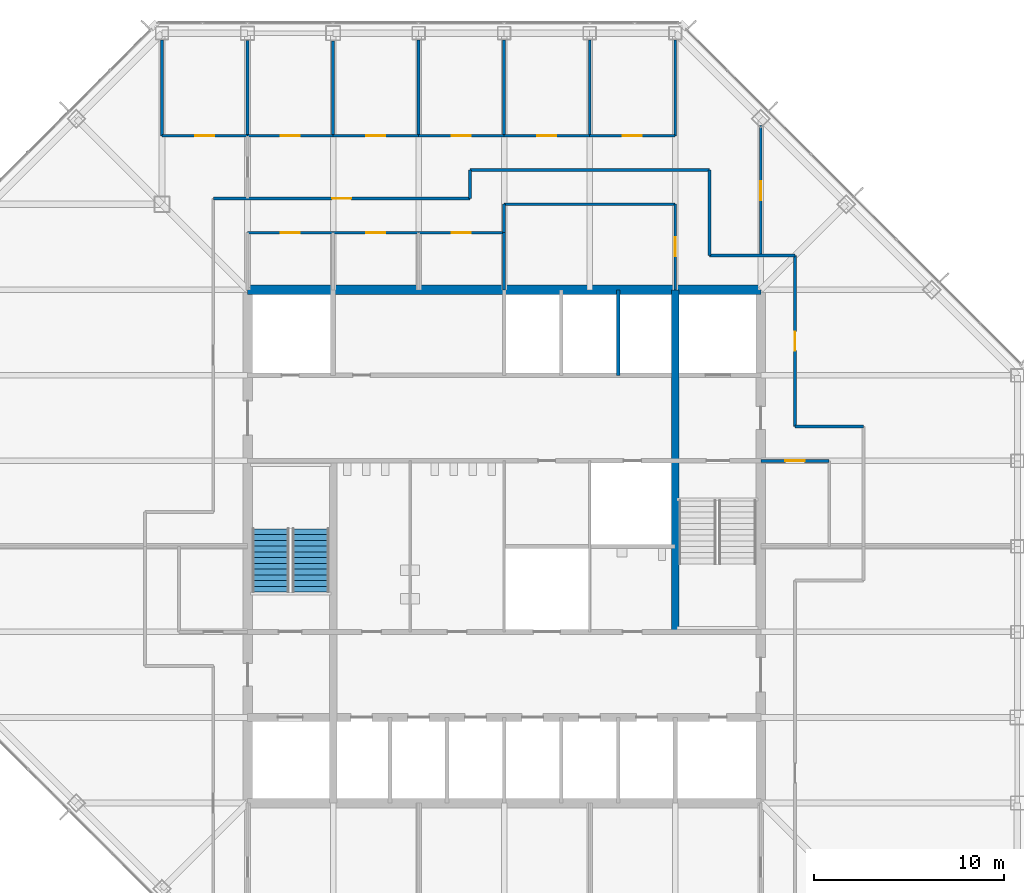
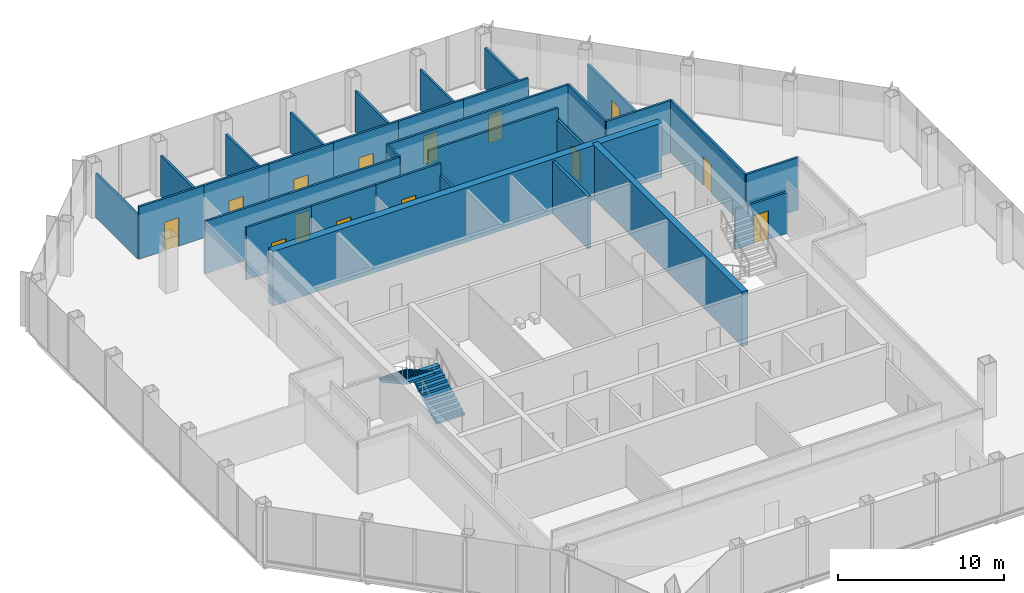
# One storey, part 10 of 13: 32 walls, 14 doors, 2 stair flights, 14 openings, 1 element without a shape of its own.
"""IFC4 building model written with IfcOpenShell, lengths in metres."""

from ifc_helpers import new_model, si_unit, direction, frame, frame_2d, origin, place, context, subcontext, project, spatial, polyline, rectangle, outline, extrude, material, layer, layer_set, type_object, element, fill, aggregate, save


model = new_model("IFC4")

# Units and contexts
model_context = context("Model", 3, precision=1e-05, world=origin(), true_north=direction((0.0, 1.0)))
body_context = subcontext(model_context, "Body", "Model", "MODEL_VIEW")
ifc_project = project(units=[si_unit("LENGTHUNIT", "METRE"), si_unit("AREAUNIT", "SQUARE_METRE"), si_unit("VOLUMEUNIT", "CUBIC_METRE"), si_unit("PLANEANGLEUNIT", "RADIAN"), si_unit("MASSUNIT", "GRAM", prefix="KILO")], contexts=[model_context])

# Site, building, storey
site_placement = place(None, origin())
site = spatial("IfcSite", under=ifc_project, at=site_placement, CompositionType="ELEMENT")
building_placement = place(site_placement, origin())
building = spatial("IfcBuilding", under=site, at=building_placement, Name="Corais Broadcast Tower", CompositionType="ELEMENT")
storey_placement = place(building_placement, frame((0.0, 0.0, 171.60009765625)))
storey = spatial("IfcBuildingStorey", under=building, at=storey_placement, Name="L39", CompositionType="ELEMENT", Elevation=171.60009765625)

# Walls
ifc_material_1 = material(Name="Concrete C50/60", Category="concrete")
ifc_layer_1 = layer(ifc_material_1, 0.39990234375)
ifc_layer_set_1 = layer_set([ifc_layer_1], Name="Concrete C50/60")
wall_type_1 = type_object("IfcWallType", Name="Core wall 400", PredefinedType="SHEAR", material=ifc_layer_set_1)
wall_1_placement = place(storey_placement, frame((36.0, 22.5, 0.0), z_axis=(0.0, 0.0, 1.0), x_axis=(0.0, 1.0, 0.0)))
element("IfcWall", 1, at=wall_1_placement, inside=storey, type_object=wall_type_1, Name="CR400 core wall X36B L39", PredefinedType="SHEAR", context=body_context, shape_type="SweptSolid", body=[
    extrude(rectangle(XDim=18.0, YDim=0.39990234375, at=frame_2d((9.0, 0.0))), origin(), (0.0, 0.0, 1.0), 4.0),
])
ifc_material_2 = material(Name="Concrete C50/60", Category="concrete")
ifc_layer_2 = layer(ifc_material_2, 0.5)
ifc_layer_set_2 = layer_set([ifc_layer_2], Name="Concrete C50/60")
wall_type_2 = type_object("IfcWallType", Name="Core wall 500", PredefinedType="SHEAR", material=ifc_layer_set_2)
wall_2_placement = place(storey_placement, frame((40.5, 40.5, 0.0), z_axis=(0.0, 0.0, 1.0), x_axis=(-1.0, 0.0, 0.0)))
element("IfcWall", 2, at=wall_2_placement, inside=storey, type_object=wall_type_2, Name="CR500 core wall N L39", PredefinedType="SHEAR", context=body_context, shape_type="SweptSolid", body=[
    extrude(rectangle(XDim=27.0, YDim=0.5, at=frame_2d((13.5, 0.0))), origin(), (0.0, 0.0, 1.0), 4.0),
])

# Wall, opening, door
ifc_material_3 = material(Name="Gypsum board on steel studs", Category="steel")
ifc_layer_3 = layer(ifc_material_3, 0.14990234375)
ifc_layer_set_3 = layer_set([ifc_layer_3], Name="Gypsum board on steel studs")
wall_type_3 = type_object("IfcWallType", Name="Partition 150", PredefinedType="PARTITIONING", material=ifc_layer_set_3)
wall_3_placement = place(storey_placement, frame((25.199951171875, 45.300048828125, 0.0), z_axis=(0.0, 0.0, 1.0), x_axis=(-1.0, 0.0, 0.0)))
wall_3 = element("IfcWall", 3, at=wall_3_placement, inside=storey, type_object=wall_type_3, Name="IW3 corridor wall L39", PredefinedType="PARTITIONING", context=body_context, shape_type="SweptSolid", body=[
    extrude(rectangle(XDim=13.5, YDim=0.14990234375, at=frame_2d((6.75, 0.0))), origin(), (0.0, 0.0, 1.0), 3.83984375),
])
opening_1_placement = place(wall_3_placement, frame((6.25, 0.0, 0.0)))
opening_1 = element("IfcOpeningElement", 4, at=opening_1_placement, cuts=wall_3, Name="Opening D1", PredefinedType="OPENING", context=body_context, shape_type="SweptSolid", body=[
    extrude(rectangle(XDim=1.0, YDim=2.10009765625, at=frame_2d((0.5, 1.050048828125))), frame((0.0, 0.0849609375, 0.0), z_axis=(0.0, -1.0, 0.0), x_axis=(1.0, 0.0, 0.0)), (0.0, 0.0, 1.0), 0.169921875),
])
ifc_material_4 = material(Name="Timber door", Category="wood")
door_type = type_object("IfcDoorType", Name="Single door 1000x2100", OperationType="SINGLE_SWING_LEFT", PredefinedType="DOOR", material=ifc_material_4)
door_1_placement = place(opening_1_placement, origin())
door_1 = element("IfcDoor", 5, at=door_1_placement, inside=storey, type_object=door_type, Name="D1 workplace door L39", OperationType="SINGLE_SWING_LEFT", OverallHeight=2.10009765625, OverallWidth=1.0, PredefinedType="DOOR", context=body_context, shape_type="SweptSolid", body=[
    extrude(rectangle(XDim=1.0, YDim=2.10009765625, at=frame_2d((0.5, 1.050048828125))), frame((0.0, 0.02490234375, 0.0), z_axis=(0.0, -1.0, 0.0), x_axis=(1.0, 0.0, 0.0)), (0.0, 0.0, 1.0), 0.050048828125),
])
fill(opening_1, door_1)

# Wall
wall_4_placement = place(storey_placement, frame((37.800048828125, 46.800048828125, 0.0), z_axis=(0.0, 0.0, 1.0), x_axis=(-1.0, 0.0, 0.0)))
element("IfcWall", 6, at=wall_4_placement, inside=storey, type_object=wall_type_3, Name="IW3 corridor wall L39", PredefinedType="PARTITIONING", context=body_context, shape_type="SweptSolid", body=[
    extrude(rectangle(XDim=12.60009765625, YDim=0.14990234375, at=frame_2d((6.300048828125, 0.0))), origin(), (0.0, 0.0, 1.0), 3.83984375),
])

# Wall, opening, door
wall_5_placement = place(storey_placement, frame((42.300048828125, 33.300048828125, 0.0), z_axis=(0.0, 0.0, 1.0), x_axis=(0.0, 1.0, 0.0)))
wall_5 = element("IfcWall", 7, at=wall_5_placement, inside=storey, type_object=wall_type_3, Name="IW3 corridor wall L39", PredefinedType="PARTITIONING", context=body_context, shape_type="SweptSolid", body=[
    extrude(rectangle(XDim=9.0, YDim=0.14990234375, at=frame_2d((4.5, 0.0))), origin(), (0.0, 0.0, 1.0), 3.83984375),
])
opening_2_placement = place(wall_5_placement, frame((4.0, 0.0, 0.0)))
opening_2 = element("IfcOpeningElement", 8, at=opening_2_placement, cuts=wall_5, Name="Opening D1", PredefinedType="OPENING", context=body_context, shape_type="SweptSolid", body=[
    extrude(rectangle(XDim=1.0, YDim=2.10009765625, at=frame_2d((0.5, 1.050048828125))), frame((0.0, 0.0849609375, 0.0), z_axis=(0.0, -1.0, 0.0), x_axis=(1.0, 0.0, 0.0)), (0.0, 0.0, 1.0), 0.169921875),
])
door_2_placement = place(opening_2_placement, origin())
door_2 = element("IfcDoor", 9, at=door_2_placement, inside=storey, type_object=door_type, Name="D1 workplace door L39", OperationType="SINGLE_SWING_LEFT", OverallHeight=2.10009765625, OverallWidth=1.0, PredefinedType="DOOR", context=body_context, shape_type="SweptSolid", body=[
    extrude(rectangle(XDim=1.0, YDim=2.10009765625, at=frame_2d((0.5, 1.050048828125))), frame((0.0, 0.02490234375, 0.0), z_axis=(0.0, -1.0, 0.0), x_axis=(1.0, 0.0, 0.0)), (0.0, 0.0, 1.0), 0.050048828125),
])
fill(opening_2, door_2)

# Walls
for number, where, z_axis, x_axis, name in (
    (10, (37.800048828125, 42.300048828125, 0.0), (0.0, 0.0, 1.0), (0.0, 1.0, 0.0), "IW3 corridor wall L39"),
    (11, (42.300048828125, 42.300048828125, 0.0), (0.0, 0.0, 1.0), (-1.0, 0.0, 0.0), "IW3 corridor wall L39"),
):
    element("IfcWall", number, at=place(storey_placement, frame(where, z_axis=z_axis, x_axis=x_axis)), inside=storey, type_object=wall_type_3, Name=name, PredefinedType="PARTITIONING", context=body_context, shape_type="SweptSolid", body=[
        extrude(rectangle(XDim=4.5, YDim=0.14990234375, at=frame_2d((2.25, 0.0))), origin(), (0.0, 0.0, 1.0), 3.83984375),
    ])
wall_6_placement = place(storey_placement, frame((45.89990234375, 33.300048828125, 0.0), z_axis=(0.0, 0.0, 1.0), x_axis=(-1.0, 0.0, 0.0)))
element("IfcWall", 12, at=wall_6_placement, inside=storey, type_object=wall_type_3, Name="IW3 corridor wall L39", PredefinedType="PARTITIONING", context=body_context, shape_type="SweptSolid", body=[
    extrude(rectangle(XDim=3.599853515625, YDim=0.14990234375, at=frame_2d((1.7998046875, 0.0))), origin(), (0.0, 0.0, 1.0), 3.83984375),
])
wall_7_placement = place(storey_placement, frame((25.199951171875, 46.800048828125, 0.0), z_axis=(0.0, 0.0, 1.0), x_axis=(0.0, -1.0, 0.0)))
element("IfcWall", 13, at=wall_7_placement, inside=storey, type_object=wall_type_3, Name="IW3 corridor wall L39", PredefinedType="PARTITIONING", context=body_context, shape_type="SweptSolid", body=[
    extrude(rectangle(XDim=1.5, YDim=0.14990234375, at=frame_2d((0.75, 0.0))), origin(), (0.0, 0.0, 1.0), 3.83984375),
])

# Wall, opening, door
wall_8_placement = place(storey_placement, frame((9.0, 48.60009765625, 0.0), z_axis=(0.0, 0.0, 1.0), x_axis=(1.0, 0.0, 0.0)))
wall_8 = element("IfcWall", 14, at=wall_8_placement, inside=storey, type_object=wall_type_3, Name="IW3 partition L39", PredefinedType="PARTITIONING", context=body_context, shape_type="SweptSolid", body=[
    extrude(rectangle(XDim=4.5, YDim=0.14990234375, at=frame_2d((2.25, 0.0))), origin(), (0.0, 0.0, 1.0), 3.83984375),
])
opening_3_placement = place(wall_8_placement, frame((1.75, 0.0, 0.0)))
opening_3 = element("IfcOpeningElement", 15, at=opening_3_placement, cuts=wall_8, Name="Opening D1", PredefinedType="OPENING", context=body_context, shape_type="SweptSolid", body=[
    extrude(rectangle(XDim=1.0, YDim=2.10009765625, at=frame_2d((0.5, 1.050048828125))), frame((0.0, 0.0849609375, 0.0), z_axis=(0.0, -1.0, 0.0), x_axis=(1.0, 0.0, 0.0)), (0.0, 0.0, 1.0), 0.169921875),
])
door_3_placement = place(opening_3_placement, origin())
door_3 = element("IfcDoor", 16, at=door_3_placement, inside=storey, type_object=door_type, Name="D1 Office door", OperationType="SINGLE_SWING_LEFT", OverallHeight=2.10009765625, OverallWidth=1.0, PredefinedType="DOOR", context=body_context, shape_type="SweptSolid", body=[
    extrude(rectangle(XDim=1.0, YDim=2.10009765625, at=frame_2d((0.5, 1.050048828125))), frame((0.0, 0.02490234375, 0.0), z_axis=(0.0, -1.0, 0.0), x_axis=(1.0, 0.0, 0.0)), (0.0, 0.0, 1.0), 0.050048828125),
])
fill(opening_3, door_3)

# Walls
wall_9_placement = place(storey_placement, frame((13.5, 48.60009765625, 0.0), z_axis=(0.0, 0.0, 1.0), x_axis=(0.0, 1.0, 0.0)))
element("IfcWall", 17, at=wall_9_placement, inside=storey, type_object=wall_type_3, Name="IW3 partition L39", PredefinedType="PARTITIONING", context=body_context, shape_type="SweptSolid", body=[
    extrude(rectangle(XDim=5.014892578125, YDim=0.14990234375, at=frame_2d((2.50732421875, 0.0))), origin(), (0.0, 0.0, 1.0), 2.989013671875),
])
wall_10_placement = place(storey_placement, frame((9.0, 53.639892578125, 0.0), z_axis=(0.0, 0.0, 1.0), x_axis=(0.0, -1.0, 0.0)))
element("IfcWall", 18, at=wall_10_placement, inside=storey, type_object=wall_type_3, Name="IW3 partition L39", PredefinedType="PARTITIONING", context=body_context, shape_type="SweptSolid", body=[
    extrude(rectangle(XDim=5.039794921875, YDim=0.14990234375, at=frame_2d((2.52001953125, 0.0))), origin(), (0.0, 0.0, 1.0), 3.22900390625),
])

# Wall, opening, door
wall_11_placement = place(storey_placement, frame((13.5, 48.60009765625, 0.0), z_axis=(0.0, 0.0, 1.0), x_axis=(1.0, 0.0, 0.0)))
wall_11 = element("IfcWall", 19, at=wall_11_placement, inside=storey, type_object=wall_type_3, Name="IW3 partition L39", PredefinedType="PARTITIONING", context=body_context, shape_type="SweptSolid", body=[
    extrude(rectangle(XDim=4.5, YDim=0.14990234375, at=frame_2d((2.25, 0.0))), origin(), (0.0, 0.0, 1.0), 3.83984375),
])
opening_4_placement = place(wall_11_placement, frame((1.75, 0.0, 0.0)))
opening_4 = element("IfcOpeningElement", 20, at=opening_4_placement, cuts=wall_11, Name="Opening D1", PredefinedType="OPENING", context=body_context, shape_type="SweptSolid", body=[
    extrude(rectangle(XDim=1.0, YDim=2.10009765625, at=frame_2d((0.5, 1.050048828125))), frame((0.0, 0.0849609375, 0.0), z_axis=(0.0, -1.0, 0.0), x_axis=(1.0, 0.0, 0.0)), (0.0, 0.0, 1.0), 0.169921875),
])
door_4_placement = place(opening_4_placement, origin())
door_4 = element("IfcDoor", 21, at=door_4_placement, inside=storey, type_object=door_type, Name="D1 Office door", OperationType="SINGLE_SWING_LEFT", OverallHeight=2.10009765625, OverallWidth=1.0, PredefinedType="DOOR", context=body_context, shape_type="SweptSolid", body=[
    extrude(rectangle(XDim=1.0, YDim=2.10009765625, at=frame_2d((0.5, 1.050048828125))), frame((0.0, 0.02490234375, 0.0), z_axis=(0.0, -1.0, 0.0), x_axis=(1.0, 0.0, 0.0)), (0.0, 0.0, 1.0), 0.050048828125),
])
fill(opening_4, door_4)

# Wall
wall_12_placement = place(storey_placement, frame((18.0, 48.60009765625, 0.0), z_axis=(0.0, 0.0, 1.0), x_axis=(0.0, 1.0, 0.0)))
element("IfcWall", 22, at=wall_12_placement, inside=storey, type_object=wall_type_3, Name="IW3 partition L39", PredefinedType="PARTITIONING", context=body_context, shape_type="SweptSolid", body=[
    extrude(rectangle(XDim=4.989990234375, YDim=0.14990234375, at=frame_2d((2.4951171875, 0.0))), origin(), (0.0, 0.0, 1.0), 2.989013671875),
])

# Wall, opening, door
wall_13_placement = place(storey_placement, frame((18.0, 48.60009765625, 0.0), z_axis=(0.0, 0.0, 1.0), x_axis=(1.0, 0.0, 0.0)))
wall_13 = element("IfcWall", 23, at=wall_13_placement, inside=storey, type_object=wall_type_3, Name="IW3 partition L39", PredefinedType="PARTITIONING", context=body_context, shape_type="SweptSolid", body=[
    extrude(rectangle(XDim=4.5, YDim=0.14990234375, at=frame_2d((2.25, 0.0))), origin(), (0.0, 0.0, 1.0), 3.83984375),
])
opening_5_placement = place(wall_13_placement, frame((1.75, 0.0, 0.0)))
opening_5 = element("IfcOpeningElement", 24, at=opening_5_placement, cuts=wall_13, Name="Opening D1", PredefinedType="OPENING", context=body_context, shape_type="SweptSolid", body=[
    extrude(rectangle(XDim=1.0, YDim=2.10009765625, at=frame_2d((0.5, 1.050048828125))), frame((0.0, 0.0849609375, 0.0), z_axis=(0.0, -1.0, 0.0), x_axis=(1.0, 0.0, 0.0)), (0.0, 0.0, 1.0), 0.169921875),
])
door_5_placement = place(opening_5_placement, origin())
door_5 = element("IfcDoor", 25, at=door_5_placement, inside=storey, type_object=door_type, Name="D1 Office door", OperationType="SINGLE_SWING_LEFT", OverallHeight=2.10009765625, OverallWidth=1.0, PredefinedType="DOOR", context=body_context, shape_type="SweptSolid", body=[
    extrude(rectangle(XDim=1.0, YDim=2.10009765625, at=frame_2d((0.5, 1.050048828125))), frame((0.0, 0.02490234375, 0.0), z_axis=(0.0, -1.0, 0.0), x_axis=(1.0, 0.0, 0.0)), (0.0, 0.0, 1.0), 0.050048828125),
])
fill(opening_5, door_5)

# Wall
wall_14_placement = place(storey_placement, frame((22.5, 48.60009765625, 0.0), z_axis=(0.0, 0.0, 1.0), x_axis=(0.0, 1.0, 0.0)))
element("IfcWall", 26, at=wall_14_placement, inside=storey, type_object=wall_type_3, Name="IW3 partition L39", PredefinedType="PARTITIONING", context=body_context, shape_type="SweptSolid", body=[
    extrude(rectangle(XDim=5.039794921875, YDim=0.14990234375, at=frame_2d((2.52001953125, 0.0))), origin(), (0.0, 0.0, 1.0), 2.989013671875),
])

# Wall, opening, door
wall_15_placement = place(storey_placement, frame((22.5, 48.60009765625, 0.0), z_axis=(0.0, 0.0, 1.0), x_axis=(1.0, 0.0, 0.0)))
wall_15 = element("IfcWall", 27, at=wall_15_placement, inside=storey, type_object=wall_type_3, Name="IW3 partition L39", PredefinedType="PARTITIONING", context=body_context, shape_type="SweptSolid", body=[
    extrude(rectangle(XDim=4.5, YDim=0.14990234375, at=frame_2d((2.25, 0.0))), origin(), (0.0, 0.0, 1.0), 3.83984375),
])
opening_6_placement = place(wall_15_placement, frame((1.75, 0.0, 0.0)))
opening_6 = element("IfcOpeningElement", 28, at=opening_6_placement, cuts=wall_15, Name="Opening D1", PredefinedType="OPENING", context=body_context, shape_type="SweptSolid", body=[
    extrude(rectangle(XDim=1.0, YDim=2.10009765625, at=frame_2d((0.5, 1.050048828125))), frame((0.0, 0.0849609375, 0.0), z_axis=(0.0, -1.0, 0.0), x_axis=(1.0, 0.0, 0.0)), (0.0, 0.0, 1.0), 0.169921875),
])
door_6_placement = place(opening_6_placement, origin())
door_6 = element("IfcDoor", 29, at=door_6_placement, inside=storey, type_object=door_type, Name="D1 Office door", OperationType="SINGLE_SWING_LEFT", OverallHeight=2.10009765625, OverallWidth=1.0, PredefinedType="DOOR", context=body_context, shape_type="SweptSolid", body=[
    extrude(rectangle(XDim=1.0, YDim=2.10009765625, at=frame_2d((0.5, 1.050048828125))), frame((0.0, 0.02490234375, 0.0), z_axis=(0.0, -1.0, 0.0), x_axis=(1.0, 0.0, 0.0)), (0.0, 0.0, 1.0), 0.050048828125),
])
fill(opening_6, door_6)

# Wall
wall_16_placement = place(storey_placement, frame((27.0, 48.60009765625, 0.0), z_axis=(0.0, 0.0, 1.0), x_axis=(0.0, 1.0, 0.0)))
element("IfcWall", 30, at=wall_16_placement, inside=storey, type_object=wall_type_3, Name="IW3 partition L39", PredefinedType="PARTITIONING", context=body_context, shape_type="SweptSolid", body=[
    extrude(rectangle(XDim=5.039794921875, YDim=0.14990234375, at=frame_2d((2.52001953125, 0.0))), origin(), (0.0, 0.0, 1.0), 2.989013671875),
])

# Wall, opening, door
wall_17_placement = place(storey_placement, frame((27.0, 48.60009765625, 0.0), z_axis=(0.0, 0.0, 1.0), x_axis=(1.0, 0.0, 0.0)))
wall_17 = element("IfcWall", 31, at=wall_17_placement, inside=storey, type_object=wall_type_3, Name="IW3 partition L39", PredefinedType="PARTITIONING", context=body_context, shape_type="SweptSolid", body=[
    extrude(rectangle(XDim=4.5, YDim=0.14990234375, at=frame_2d((2.25, 0.0))), origin(), (0.0, 0.0, 1.0), 3.83984375),
])
opening_7_placement = place(wall_17_placement, frame((1.75, 0.0, 0.0)))
opening_7 = element("IfcOpeningElement", 32, at=opening_7_placement, cuts=wall_17, Name="Opening D1", PredefinedType="OPENING", context=body_context, shape_type="SweptSolid", body=[
    extrude(rectangle(XDim=1.0, YDim=2.10009765625, at=frame_2d((0.5, 1.050048828125))), frame((0.0, 0.0849609375, 0.0), z_axis=(0.0, -1.0, 0.0), x_axis=(1.0, 0.0, 0.0)), (0.0, 0.0, 1.0), 0.169921875),
])
door_7_placement = place(opening_7_placement, origin())
door_7 = element("IfcDoor", 33, at=door_7_placement, inside=storey, type_object=door_type, Name="D1 Office door", OperationType="SINGLE_SWING_LEFT", OverallHeight=2.10009765625, OverallWidth=1.0, PredefinedType="DOOR", context=body_context, shape_type="SweptSolid", body=[
    extrude(rectangle(XDim=1.0, YDim=2.10009765625, at=frame_2d((0.5, 1.050048828125))), frame((0.0, 0.02490234375, 0.0), z_axis=(0.0, -1.0, 0.0), x_axis=(1.0, 0.0, 0.0)), (0.0, 0.0, 1.0), 0.050048828125),
])
fill(opening_7, door_7)

# Wall
wall_18_placement = place(storey_placement, frame((31.5, 48.60009765625, 0.0), z_axis=(0.0, 0.0, 1.0), x_axis=(0.0, 1.0, 0.0)))
element("IfcWall", 34, at=wall_18_placement, inside=storey, type_object=wall_type_3, Name="IW3 partition L39", PredefinedType="PARTITIONING", context=body_context, shape_type="SweptSolid", body=[
    extrude(rectangle(XDim=5.039794921875, YDim=0.14990234375, at=frame_2d((2.52001953125, 0.0))), origin(), (0.0, 0.0, 1.0), 2.989013671875),
])

# Wall, opening, door
wall_19_placement = place(storey_placement, frame((31.5, 48.60009765625, 0.0), z_axis=(0.0, 0.0, 1.0), x_axis=(1.0, 0.0, 0.0)))
wall_19 = element("IfcWall", 35, at=wall_19_placement, inside=storey, type_object=wall_type_3, Name="IW3 partition L39", PredefinedType="PARTITIONING", context=body_context, shape_type="SweptSolid", body=[
    extrude(rectangle(XDim=4.5, YDim=0.14990234375, at=frame_2d((2.25, 0.0))), origin(), (0.0, 0.0, 1.0), 3.83984375),
])
opening_8_placement = place(wall_19_placement, frame((1.75, 0.0, 0.0)))
opening_8 = element("IfcOpeningElement", 36, at=opening_8_placement, cuts=wall_19, Name="Opening D1", PredefinedType="OPENING", context=body_context, shape_type="SweptSolid", body=[
    extrude(rectangle(XDim=1.0, YDim=2.10009765625, at=frame_2d((0.5, 1.050048828125))), frame((0.0, 0.0849609375, 0.0), z_axis=(0.0, -1.0, 0.0), x_axis=(1.0, 0.0, 0.0)), (0.0, 0.0, 1.0), 0.169921875),
])
door_8_placement = place(opening_8_placement, origin())
door_8 = element("IfcDoor", 37, at=door_8_placement, inside=storey, type_object=door_type, Name="D1 Office door", OperationType="SINGLE_SWING_LEFT", OverallHeight=2.10009765625, OverallWidth=1.0, PredefinedType="DOOR", context=body_context, shape_type="SweptSolid", body=[
    extrude(rectangle(XDim=1.0, YDim=2.10009765625, at=frame_2d((0.5, 1.050048828125))), frame((0.0, 0.02490234375, 0.0), z_axis=(0.0, -1.0, 0.0), x_axis=(1.0, 0.0, 0.0)), (0.0, 0.0, 1.0), 0.050048828125),
])
fill(opening_8, door_8)

# Wall
wall_20_placement = place(storey_placement, frame((36.0, 48.60009765625, 0.0), z_axis=(0.0, 0.0, 1.0), x_axis=(0.0, 1.0, 0.0)))
element("IfcWall", 38, at=wall_20_placement, inside=storey, type_object=wall_type_3, Name="IW3 partition L39", PredefinedType="PARTITIONING", context=body_context, shape_type="SweptSolid", body=[
    extrude(rectangle(XDim=5.039794921875, YDim=0.14990234375, at=frame_2d((2.52001953125, 0.0))), origin(), (0.0, 0.0, 1.0), 2.989013671875),
])

# Wall, opening, door
wall_21_placement = place(storey_placement, frame((44.10009765625, 31.5, 0.0), z_axis=(0.0, 0.0, 1.0), x_axis=(-1.0, 0.0, 0.0)))
wall_21 = element("IfcWall", 39, at=wall_21_placement, inside=storey, type_object=wall_type_3, Name="IW3 partition L39", PredefinedType="PARTITIONING", context=body_context, shape_type="SweptSolid", body=[
    extrude(rectangle(XDim=3.60009765625, YDim=0.14990234375, at=frame_2d((1.800048828125, 0.0))), origin(), (0.0, 0.0, 1.0), 2.989013671875),
])
opening_9_placement = place(wall_21_placement, frame((1.300048828125, 0.0, 0.0)))
opening_9 = element("IfcOpeningElement", 40, at=opening_9_placement, cuts=wall_21, Name="Opening D1", PredefinedType="OPENING", context=body_context, shape_type="SweptSolid", body=[
    extrude(rectangle(XDim=1.0, YDim=2.10009765625, at=frame_2d((0.5, 1.050048828125))), frame((0.0, 0.0849609375, 0.0), z_axis=(0.0, -1.0, 0.0), x_axis=(1.0, 0.0, 0.0)), (0.0, 0.0, 1.0), 0.169921875),
])
door_9_placement = place(opening_9_placement, origin())
door_9 = element("IfcDoor", 41, at=door_9_placement, inside=storey, type_object=door_type, Name="D1 Pantry door", OperationType="SINGLE_SWING_LEFT", OverallHeight=2.10009765625, OverallWidth=1.0, PredefinedType="DOOR", context=body_context, shape_type="SweptSolid", body=[
    extrude(rectangle(XDim=1.0, YDim=2.10009765625, at=frame_2d((0.5, 1.050048828125))), frame((0.0, 0.02490234375, 0.0), z_axis=(0.0, -1.0, 0.0), x_axis=(1.0, 0.0, 0.0)), (0.0, 0.0, 1.0), 0.050048828125),
])
fill(opening_9, door_9)

wall_22_placement = place(storey_placement, frame((18.0, 43.5, 0.0), z_axis=(0.0, 0.0, 1.0), x_axis=(-1.0, 0.0, 0.0)))
wall_22 = element("IfcWall", 42, at=wall_22_placement, inside=storey, type_object=wall_type_3, Name="IW3 partition L39", PredefinedType="PARTITIONING", context=body_context, shape_type="SweptSolid", body=[
    extrude(rectangle(XDim=4.5, YDim=0.14990234375, at=frame_2d((2.25, 0.0))), origin(), (0.0, 0.0, 1.0), 3.83984375),
])
opening_10_placement = place(wall_22_placement, frame((1.75, 0.0, 0.0)))
opening_10 = element("IfcOpeningElement", 43, at=opening_10_placement, cuts=wall_22, Name="Opening D1", PredefinedType="OPENING", context=body_context, shape_type="SweptSolid", body=[
    extrude(rectangle(XDim=1.0, YDim=2.10009765625, at=frame_2d((0.5, 1.050048828125))), frame((0.0, 0.0849609375, 0.0), z_axis=(0.0, -1.0, 0.0), x_axis=(1.0, 0.0, 0.0)), (0.0, 0.0, 1.0), 0.169921875),
])
door_10_placement = place(opening_10_placement, origin())
door_10 = element("IfcDoor", 44, at=door_10_placement, inside=storey, type_object=door_type, Name="D1 Quiet room door", OperationType="SINGLE_SWING_LEFT", OverallHeight=2.10009765625, OverallWidth=1.0, PredefinedType="DOOR", context=body_context, shape_type="SweptSolid", body=[
    extrude(rectangle(XDim=1.0, YDim=2.10009765625, at=frame_2d((0.5, 1.050048828125))), frame((0.0, 0.02490234375, 0.0), z_axis=(0.0, -1.0, 0.0), x_axis=(1.0, 0.0, 0.0)), (0.0, 0.0, 1.0), 0.050048828125),
])
fill(opening_10, door_10)

wall_23_placement = place(storey_placement, frame((22.5, 43.5, 0.0), z_axis=(0.0, 0.0, 1.0), x_axis=(-1.0, 0.0, 0.0)))
wall_23 = element("IfcWall", 45, at=wall_23_placement, inside=storey, type_object=wall_type_3, Name="IW3 partition L39", PredefinedType="PARTITIONING", context=body_context, shape_type="SweptSolid", body=[
    extrude(rectangle(XDim=4.5, YDim=0.14990234375, at=frame_2d((2.25, 0.0))), origin(), (0.0, 0.0, 1.0), 3.83984375),
])
opening_11_placement = place(wall_23_placement, frame((1.75, 0.0, 0.0)))
opening_11 = element("IfcOpeningElement", 46, at=opening_11_placement, cuts=wall_23, Name="Opening D1", PredefinedType="OPENING", context=body_context, shape_type="SweptSolid", body=[
    extrude(rectangle(XDim=1.0, YDim=2.10009765625, at=frame_2d((0.5, 1.050048828125))), frame((0.0, 0.0849609375, 0.0), z_axis=(0.0, -1.0, 0.0), x_axis=(1.0, 0.0, 0.0)), (0.0, 0.0, 1.0), 0.169921875),
])
door_11_placement = place(opening_11_placement, origin())
door_11 = element("IfcDoor", 47, at=door_11_placement, inside=storey, type_object=door_type, Name="D1 Quiet room door", OperationType="SINGLE_SWING_LEFT", OverallHeight=2.10009765625, OverallWidth=1.0, PredefinedType="DOOR", context=body_context, shape_type="SweptSolid", body=[
    extrude(rectangle(XDim=1.0, YDim=2.10009765625, at=frame_2d((0.5, 1.050048828125))), frame((0.0, 0.02490234375, 0.0), z_axis=(0.0, -1.0, 0.0), x_axis=(1.0, 0.0, 0.0)), (0.0, 0.0, 1.0), 0.050048828125),
])
fill(opening_11, door_11)

# Wall
wall_24_placement = place(storey_placement, frame((27.0, 40.5, 0.0), z_axis=(0.0, 0.0, 1.0), x_axis=(0.0, 1.0, 0.0)))
element("IfcWall", 48, at=wall_24_placement, inside=storey, type_object=wall_type_3, Name="IW3 partition L39", PredefinedType="PARTITIONING", context=body_context, shape_type="SweptSolid", body=[
    extrude(rectangle(XDim=3.0, YDim=0.14990234375, at=frame_2d((1.5, 0.0))), origin(), (0.0, 0.0, 1.0), 2.989013671875),
])

# Wall, opening, door
wall_25_placement = place(storey_placement, frame((27.0, 43.5, 0.0), z_axis=(0.0, 0.0, 1.0), x_axis=(-1.0, 0.0, 0.0)))
wall_25 = element("IfcWall", 49, at=wall_25_placement, inside=storey, type_object=wall_type_3, Name="IW3 partition L39", PredefinedType="PARTITIONING", context=body_context, shape_type="SweptSolid", body=[
    extrude(rectangle(XDim=4.5, YDim=0.14990234375, at=frame_2d((2.25, 0.0))), origin(), (0.0, 0.0, 1.0), 3.83984375),
])
opening_12_placement = place(wall_25_placement, frame((1.75, 0.0, 0.0)))
opening_12 = element("IfcOpeningElement", 50, at=opening_12_placement, cuts=wall_25, Name="Opening D1", PredefinedType="OPENING", context=body_context, shape_type="SweptSolid", body=[
    extrude(rectangle(XDim=1.0, YDim=2.10009765625, at=frame_2d((0.5, 1.050048828125))), frame((0.0, 0.0849609375, 0.0), z_axis=(0.0, -1.0, 0.0), x_axis=(1.0, 0.0, 0.0)), (0.0, 0.0, 1.0), 0.169921875),
])
door_12_placement = place(opening_12_placement, origin())
door_12 = element("IfcDoor", 51, at=door_12_placement, inside=storey, type_object=door_type, Name="D1 Quiet room door", OperationType="SINGLE_SWING_LEFT", OverallHeight=2.10009765625, OverallWidth=1.0, PredefinedType="DOOR", context=body_context, shape_type="SweptSolid", body=[
    extrude(rectangle(XDim=1.0, YDim=2.10009765625, at=frame_2d((0.5, 1.050048828125))), frame((0.0, 0.02490234375, 0.0), z_axis=(0.0, -1.0, 0.0), x_axis=(1.0, 0.0, 0.0)), (0.0, 0.0, 1.0), 0.050048828125),
])
fill(opening_12, door_12)

wall_26_placement = place(storey_placement, frame((36.0, 40.5, 0.0), z_axis=(0.0, 0.0, 1.0), x_axis=(0.0, 1.0, 0.0)))
wall_26 = element("IfcWall", 52, at=wall_26_placement, inside=storey, type_object=wall_type_3, Name="IW3 partition L39", PredefinedType="PARTITIONING", context=body_context, shape_type="SweptSolid", body=[
    extrude(rectangle(XDim=4.5, YDim=0.14990234375, at=frame_2d((2.25, 0.0))), origin(), (0.0, 0.0, 1.0), 2.989013671875),
])
opening_13_placement = place(wall_26_placement, frame((1.75, 0.0, 0.0)))
opening_13 = element("IfcOpeningElement", 53, at=opening_13_placement, cuts=wall_26, Name="Opening D1", PredefinedType="OPENING", context=body_context, shape_type="SweptSolid", body=[
    extrude(rectangle(XDim=1.0, YDim=2.10009765625, at=frame_2d((0.5, 1.050048828125))), frame((0.0, 0.0849609375, 0.0), z_axis=(0.0, -1.0, 0.0), x_axis=(1.0, 0.0, 0.0)), (0.0, 0.0, 1.0), 0.169921875),
])
door_13_placement = place(opening_13_placement, origin())
door_13 = element("IfcDoor", 54, at=door_13_placement, inside=storey, type_object=door_type, Name="D1 Meeting room door", OperationType="SINGLE_SWING_LEFT", OverallHeight=2.10009765625, OverallWidth=1.0, PredefinedType="DOOR", context=body_context, shape_type="SweptSolid", body=[
    extrude(rectangle(XDim=1.0, YDim=2.10009765625, at=frame_2d((0.5, 1.050048828125))), frame((0.0, 0.02490234375, 0.0), z_axis=(0.0, -1.0, 0.0), x_axis=(1.0, 0.0, 0.0)), (0.0, 0.0, 1.0), 0.050048828125),
])
fill(opening_13, door_13)

# Walls
wall_27_placement = place(storey_placement, frame((36.0, 45.0, 0.0), z_axis=(0.0, 0.0, 1.0), x_axis=(-1.0, 0.0, 0.0)))
element("IfcWall", 55, at=wall_27_placement, inside=storey, type_object=wall_type_3, Name="IW3 partition L39", PredefinedType="PARTITIONING", context=body_context, shape_type="SweptSolid", body=[
    extrude(rectangle(XDim=9.0, YDim=0.14990234375, at=frame_2d((4.5, 0.0))), origin(), (0.0, 0.0, 1.0), 3.83984375),
])
wall_28_placement = place(storey_placement, frame((27.0, 45.0, 0.0), z_axis=(0.0, 0.0, 1.0), x_axis=(0.0, -1.0, 0.0)))
element("IfcWall", 56, at=wall_28_placement, inside=storey, type_object=wall_type_3, Name="IW3 partition L39", PredefinedType="PARTITIONING", context=body_context, shape_type="SweptSolid", body=[
    extrude(rectangle(XDim=1.5, YDim=0.14990234375, at=frame_2d((0.75, 0.0))), origin(), (0.0, 0.0, 1.0), 2.989013671875),
])

# Wall, opening, door
wall_29_placement = place(storey_placement, frame((40.5, 49.1298828125, 0.0), z_axis=(0.0, 0.0, 1.0), x_axis=(0.0, -1.0, 0.0)))
wall_29 = element("IfcWall", 57, at=wall_29_placement, inside=storey, type_object=wall_type_3, Name="IW3 partition L39", PredefinedType="PARTITIONING", context=body_context, shape_type="SweptSolid", body=[
    extrude(rectangle(XDim=6.829833984375, YDim=0.14990234375, at=frame_2d((3.4150390625, 0.0))), origin(), (0.0, 0.0, 1.0), 2.989013671875),
])
opening_14_placement = place(wall_29_placement, frame((2.9150390625, 0.0, 0.0)))
opening_14 = element("IfcOpeningElement", 58, at=opening_14_placement, cuts=wall_29, Name="Opening D1", PredefinedType="OPENING", context=body_context, shape_type="SweptSolid", body=[
    extrude(rectangle(XDim=1.0, YDim=2.10009765625, at=frame_2d((0.5, 1.050048828125))), frame((0.0, 0.0849609375, 0.0), z_axis=(0.0, -1.0, 0.0), x_axis=(1.0, 0.0, 0.0)), (0.0, 0.0, 1.0), 0.169921875),
])
door_14_placement = place(opening_14_placement, origin())
door_14 = element("IfcDoor", 59, at=door_14_placement, inside=storey, type_object=door_type, Name="D1 team room door L39", OperationType="SINGLE_SWING_LEFT", OverallHeight=2.10009765625, OverallWidth=1.0, PredefinedType="DOOR", context=body_context, shape_type="SweptSolid", body=[
    extrude(rectangle(XDim=1.0, YDim=2.10009765625, at=frame_2d((0.5, 1.050048828125))), frame((0.0, 0.02490234375, 0.0), z_axis=(0.0, -1.0, 0.0), x_axis=(1.0, 0.0, 0.0)), (0.0, 0.0, 1.0), 0.050048828125),
])
fill(opening_14, door_14)

# Wall
ifc_material_5 = material(Name="Concrete blockwork class A, grouted, two-hour", Category="masonry")
ifc_layer_4 = layer(ifc_material_5, 0.199951171875)
ifc_layer_set_4 = layer_set([ifc_layer_4], Name="Concrete blockwork class A, grouted, two-hour")
wall_type_4 = type_object("IfcWallType", Name="Shaft wall 200", PredefinedType="PARTITIONING", material=ifc_layer_set_4)
wall_30_placement = place(storey_placement, frame((33.0, 36.0, 0.0), z_axis=(0.0, 0.0, 1.0), x_axis=(0.0, 1.0, 0.0)))
element("IfcWall", 60, at=wall_30_placement, inside=storey, type_object=wall_type_4, Name="IW1 shaft wall L39", PredefinedType="PARTITIONING", context=body_context, shape_type="SweptSolid", body=[
    extrude(rectangle(XDim=4.5, YDim=0.199951171875, at=frame_2d((2.25, 0.0))), origin(), (0.0, 0.0, 1.0), 3.83984375),
])

# Stair, stair flights
ifc_material_6 = material(Name="Concrete C30/37", Category="concrete")
stair_type = type_object("IfcStairType", Name="Half-turn stair 4000", PredefinedType="HALF_TURN_STAIR", material=ifc_material_6)
stair_placement = place(storey_placement, origin())
stair = element("IfcStair", 61, at=stair_placement, inside=storey, type_object=stair_type, Name="Stair A L39", PredefinedType="HALF_TURN_STAIR")
ifc_material_7 = material(Name="Concrete C30/37", Category="concrete")
stair_flight_type = type_object("IfcStairFlightType", Name="Stair flight 4000", PredefinedType="STRAIGHT", material=ifc_material_7)
stair_flight_1_placement = place(storey_placement, frame((16.824951171875, 24.60009765625, 0.0), z_axis=(0.0, 0.0, 1.0), x_axis=(0.0, 1.0, 0.0)))
stair_flight_1 = element("IfcStairFlight", 62, at=stair_flight_1_placement, type_object=stair_flight_type, Name="STA flight 1", NumberOfRisers=12, NumberOfTreads=11, PredefinedType="STRAIGHT", RiserHeight=0.166666667, TreadLength=0.302, context=body_context, shape_type="SweptSolid", body=[
    extrude(outline(polyline([(0.0, 0.0), (0.0, 0.166748046875), (0.302001953125, 0.166748046875), (0.302001953125, 0.333251953125), (0.60400390625, 0.333251953125), (0.60400390625, 0.5), (0.906005859375, 0.5), (0.906005859375, 0.666748046875), (1.2080078125, 0.666748046875), (1.2080078125, 0.833251953125), (1.510009765625, 0.833251953125), (1.510009765625, 1.0), (1.81201171875, 1.0), (1.81201171875, 1.166748046875), (2.114013671875, 1.166748046875), (2.114013671875, 1.333251953125), (2.416015625, 1.333251953125), (2.416015625, 1.5), (2.718017578125, 1.5), (2.718017578125, 1.666748046875), (3.02001953125, 1.666748046875), (3.02001953125, 1.833251953125), (3.322021484375, 1.833251953125), (3.322021484375, 2.0), (3.322021484375, 1.662109375), (0.310302734375, 0.0), (0.0, 0.0)])), frame((0.0, 0.97509765625, 0.0), z_axis=(0.0, -1.0, 0.0), x_axis=(1.0, 0.0, 0.0)), (0.0, 0.0, 1.0), 1.949951171875),
])
stair_flight_2_placement = place(storey_placement, frame((14.72509765625, 27.922119140625, 2.0), z_axis=(0.0, 0.0, 1.0), x_axis=(0.0, -1.0, 0.0)))
stair_flight_2 = element("IfcStairFlight", 63, at=stair_flight_2_placement, type_object=stair_flight_type, Name="STA flight 2", NumberOfRisers=12, NumberOfTreads=11, PredefinedType="STRAIGHT", RiserHeight=0.166666667, TreadLength=0.302, context=body_context, shape_type="SweptSolid", body=[
    extrude(outline(polyline([(0.0, 0.0), (0.0, 0.166748046875), (0.302001953125, 0.166748046875), (0.302001953125, 0.333251953125), (0.60400390625, 0.333251953125), (0.60400390625, 0.5), (0.906005859375, 0.5), (0.906005859375, 0.666748046875), (1.2080078125, 0.666748046875), (1.2080078125, 0.833251953125), (1.510009765625, 0.833251953125), (1.510009765625, 1.0), (1.81201171875, 1.0), (1.81201171875, 1.166748046875), (2.114013671875, 1.166748046875), (2.114013671875, 1.333251953125), (2.416015625, 1.333251953125), (2.416015625, 1.5), (2.718017578125, 1.5), (2.718017578125, 1.666748046875), (3.02001953125, 1.666748046875), (3.02001953125, 1.833251953125), (3.322021484375, 1.833251953125), (3.322021484375, 2.0), (3.322021484375, 1.662109375), (0.310302734375, 0.0), (0.0, 0.0)])), frame((0.0, 0.97509765625, 0.0), z_axis=(0.0, -1.0, 0.0), x_axis=(1.0, 0.0, 0.0)), (0.0, 0.0, 1.0), 1.949951171875),
])
aggregate(stair, [stair_flight_1, stair_flight_2])

save(model, "model.ifc")
